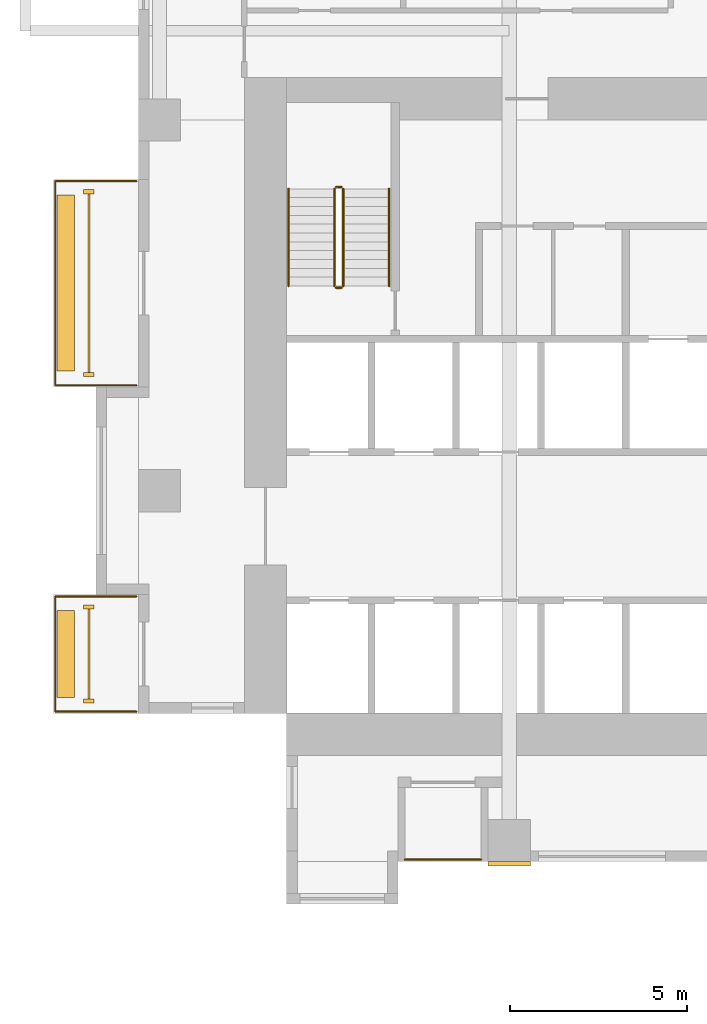
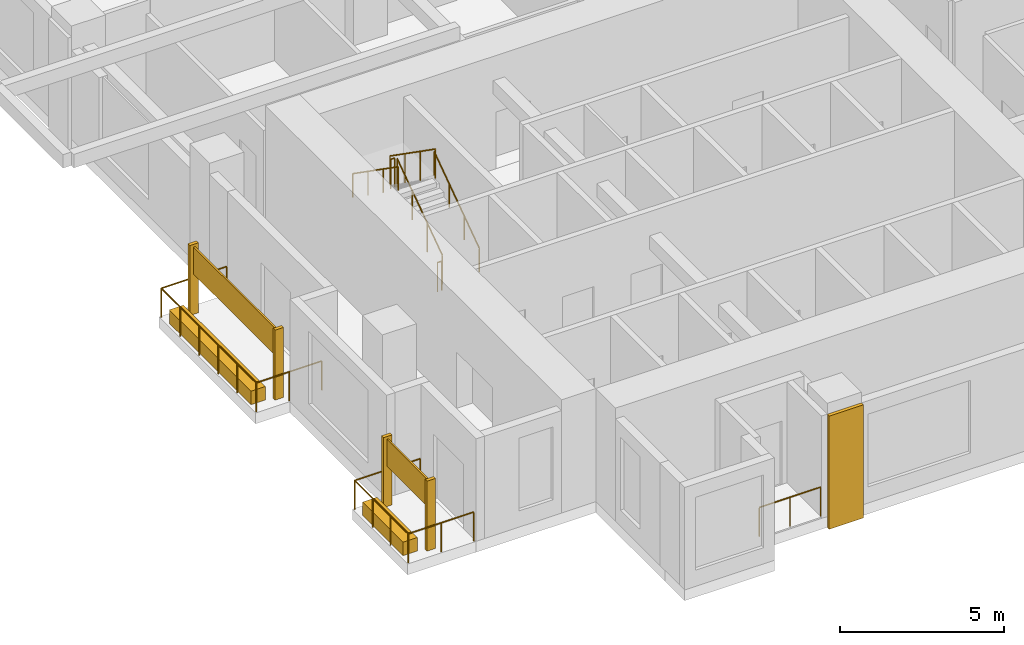
# One storey, part 11 of 14: 9 coverings, 9 railings.
"""IFC4 building model written with IfcOpenShell, lengths in metres."""

from ifc_helpers import new_model, si_unit, direction, frame, origin, origin_2d, place, context, subcontext, project, spatial, rectangle, circle, extrude, source, transform, mapped, material, type_object, element, save


model = new_model("IFC4")

# Units and contexts
model_context = context("Model", 3, precision=1e-05, world=origin(), true_north=direction((0.0, 1.0)))
body_context = subcontext(model_context, "Body", "Model", "MODEL_VIEW")
ifc_project = project(units=[si_unit("LENGTHUNIT", "METRE"), si_unit("AREAUNIT", "SQUARE_METRE"), si_unit("VOLUMEUNIT", "CUBIC_METRE"), si_unit("PLANEANGLEUNIT", "RADIAN"), si_unit("MASSUNIT", "GRAM", prefix="KILO")], contexts=[model_context])

# Site, building, storey
site_placement = place(None, origin())
site = spatial("IfcSite", under=ifc_project, at=site_placement, CompositionType="ELEMENT")
building_placement = place(site_placement, origin())
building = spatial("IfcBuilding", under=site, at=building_placement, Name="Aurelian Terraces", CompositionType="ELEMENT")
storey_placement = place(building_placement, frame((0.0, 0.0, 53.1)))
storey = spatial("IfcBuildingStorey", under=building, at=storey_placement, Name="L10", CompositionType="ELEMENT", Elevation=53.1)

# Coverings
ifc_material_1 = material(Name="Terracotta rainscreen cladding relief", Category="masonry")
covering_type_1 = type_object("IfcCoveringType", Name="FIN-TC", PredefinedType="CLADDING", material=ifc_material_1)
shared_shape_1 = source(origin(), body_context, "Body", "SweptSolid", [
    extrude(rectangle(XDim=0.3, YDim=0.12, at=origin_2d()), origin(), (0.0, 0.0, 1.0), 2.6),
])
for number, where, z_axis, x_axis, name in (
    (1, (-1.4, 18.97, 0.0), (0.0, 0.0, 1.0), (1.0, 0.0, 0.0), "FIN L10 L10-F18-40.1"),
    (2, (-1.4, 13.79, 0.0), (0.0, 0.0, 1.0), (1.0, 0.0, 0.0), "FIN L10 L10-F18-40.2"),
    (3, (-1.4, 7.21, 0.0), (0.0, 0.0, 1.0), (1.0, 0.0, 0.0), "FIN L10 L10-F18-42.1"),
    (4, (-1.4, 4.55, 0.0), (0.0, 0.0, 1.0), (1.0, 0.0, 0.0), "FIN L10 L10-F18-42.2"),
):
    element("IfcCovering", number, at=place(storey_placement, frame(where, z_axis=z_axis, x_axis=x_axis)), inside=storey, type_object=covering_type_1, Name=name, PredefinedType="CLADDING", context=body_context, shape_type="MappedRepresentation", body=[
        mapped(shared_shape_1, transform((0.0, 0.0, 0.0), scale=1.0)),
    ])
covering_type_2 = type_object("IfcCoveringType", Name="BAGUETTE-TC", PredefinedType="CLADDING", material=ifc_material_1)
shared_shape_2 = source(origin(), body_context, "Body", "SweptSolid", [
    extrude(rectangle(XDim=1.2, YDim=0.12, at=origin_2d()), origin(), (0.0, 0.0, 1.0), 4.2),
])
covering_1_placement = place(storey_placement, frame((10.5, -0.06, -0.4), z_axis=(0.0, 0.0, 1.0), x_axis=(1.0, 0.0, 0.0)))
element("IfcCovering", 5, at=covering_1_placement, inside=storey, type_object=covering_type_2, Name="BAGUETTE pier L10 1", PredefinedType="CLADDING", context=body_context, shape_type="MappedRepresentation", body=[
    mapped(shared_shape_2, transform((0.0, 0.0, 0.0), scale=1.0)),
])

# Railing
ifc_material_2 = material(Name="Anodised aluminium", Category="aluminium")
railing_type_1 = type_object("IfcRailingType", Name="GUARD-1100", PredefinedType="GUARDRAIL", material=ifc_material_2)
shared_shape_3 = source(origin(), body_context, "Body", "SweptSolid", [
    extrude(circle(Radius=0.024, at=origin_2d()), frame((0.0, 0.0, 1.076), z_axis=(-1.0, 0.0, 0.0), x_axis=(0.0, -1.0, 0.0)), (0.0, 0.0, 1.0), 2.3),
    extrude(circle(Radius=0.024, at=origin_2d()), frame((-2.3, 0.0, 1.076), z_axis=(0.0, -1.0, 0.0), x_axis=(1.0, 0.0, 0.0)), (0.0, 0.0, 1.0), 5.78),
    extrude(circle(Radius=0.024, at=origin_2d()), frame((-2.3, -5.78, 1.076), z_axis=(1.0, 0.0, 0.0), x_axis=(0.0, 1.0, 0.0)), (0.0, 0.0, 1.0), 2.3),
    extrude(circle(Radius=0.021, at=origin_2d()), origin(), (0.0, 0.0, 1.0), 1.052),
    extrude(circle(Radius=0.021, at=origin_2d()), frame((-1.15, 0.0, 0.0)), (0.0, 0.0, 1.0), 1.052),
    extrude(circle(Radius=0.021, at=origin_2d()), frame((-2.3, 0.0, 0.0)), (0.0, 0.0, 1.0), 1.052),
    extrude(circle(Radius=0.021, at=origin_2d()), frame((-2.3, -1.156, 0.0)), (0.0, 0.0, 1.0), 1.052),
    extrude(circle(Radius=0.021, at=origin_2d()), frame((-2.3, -2.312, 0.0)), (0.0, 0.0, 1.0), 1.052),
    extrude(circle(Radius=0.021, at=origin_2d()), frame((-2.3, -3.468, 0.0)), (0.0, 0.0, 1.0), 1.052),
    extrude(circle(Radius=0.021, at=origin_2d()), frame((-2.3, -4.624, 0.0)), (0.0, 0.0, 1.0), 1.052),
    extrude(circle(Radius=0.021, at=origin_2d()), frame((-2.3, -5.78, 0.0)), (0.0, 0.0, 1.0), 1.052),
    extrude(circle(Radius=0.021, at=origin_2d()), frame((-1.15, -5.78, 0.0)), (0.0, 0.0, 1.0), 1.052),
    extrude(circle(Radius=0.021, at=origin_2d()), frame((0.0, -5.78, 0.0)), (0.0, 0.0, 1.0), 1.052),
])
railing_1_placement = place(storey_placement, frame((-0.05, 19.27, 0.0)))
element("IfcRailing", 6, at=railing_1_placement, inside=storey, type_object=railing_type_1, Name="Balcony guard L10 F18.40", PredefinedType="GUARDRAIL", context=body_context, shape_type="MappedRepresentation", body=[
    mapped(shared_shape_3, transform((0.0, 0.0, 0.0), scale=1.0)),
])

# Coverings
ifc_material_3 = material(Name="Terracotta planter with planting soil", Category="masonry")
covering_type_3 = type_object("IfcCoveringType", Name="PLANTER-TROUGH", PredefinedType="USERDEFINED", material=ifc_material_3)
shared_shape_4 = source(origin(), body_context, "Body", "SweptSolid", [
    extrude(rectangle(XDim=0.5, YDim=4.98, at=origin_2d()), origin(), (0.0, 0.0, 1.0), 0.5),
])
covering_2_placement = place(storey_placement, frame((-2.05, 16.38, 0.0), z_axis=(0.0, 0.0, 1.0), x_axis=(1.0, 0.0, 0.0)))
element("IfcCovering", 7, at=covering_2_placement, inside=storey, type_object=covering_type_3, Name="PLANTER L10 L10-F18-40", ObjectType="PLANTER", PredefinedType="USERDEFINED", context=body_context, shape_type="MappedRepresentation", body=[
    mapped(shared_shape_4, transform((0.0, 0.0, 0.0), scale=1.0)),
])
ifc_material_4 = material(Name="Terracotta rainscreen cladding", Category="masonry")
covering_type_4 = type_object("IfcCoveringType", Name="SCREEN-TC", PredefinedType="CLADDING", material=ifc_material_4)
shared_shape_5 = source(origin(), body_context, "Body", "SweptSolid", [
    extrude(rectangle(XDim=0.06, YDim=5.06, at=origin_2d()), origin(), (0.0, 0.0, 1.0), 1.0),
])
covering_3_placement = place(storey_placement, frame((-1.4, 16.38, 1.5), z_axis=(0.0, 0.0, 1.0), x_axis=(1.0, 0.0, 0.0)))
element("IfcCovering", 8, at=covering_3_placement, inside=storey, type_object=covering_type_4, Name="SCREEN L10 L10-F18-40", PredefinedType="CLADDING", context=body_context, shape_type="MappedRepresentation", body=[
    mapped(shared_shape_5, transform((0.0, 0.0, 0.0), scale=1.0)),
])

# Railing
shared_shape_6 = source(origin(), body_context, "Body", "SweptSolid", [
    extrude(circle(Radius=0.024, at=origin_2d()), frame((0.0, 0.0, 1.076), z_axis=(-1.0, 0.0, 0.0), x_axis=(0.0, -1.0, 0.0)), (0.0, 0.0, 1.0), 2.3),
    extrude(circle(Radius=0.024, at=origin_2d()), frame((-2.3, 0.0, 1.076), z_axis=(0.0, -1.0, 0.0), x_axis=(1.0, 0.0, 0.0)), (0.0, 0.0, 1.0), 3.26),
    extrude(circle(Radius=0.024, at=origin_2d()), frame((-2.3, -3.26, 1.076), z_axis=(1.0, 0.0, 0.0), x_axis=(0.0, 1.0, 0.0)), (0.0, 0.0, 1.0), 2.3),
    extrude(circle(Radius=0.021, at=origin_2d()), origin(), (0.0, 0.0, 1.0), 1.052),
    extrude(circle(Radius=0.021, at=origin_2d()), frame((-1.15, 0.0, 0.0)), (0.0, 0.0, 1.0), 1.052),
    extrude(circle(Radius=0.021, at=origin_2d()), frame((-2.3, 0.0, 0.0)), (0.0, 0.0, 1.0), 1.052),
    extrude(circle(Radius=0.021, at=origin_2d()), frame((-2.3, -1.0867, 0.0)), (0.0, 0.0, 1.0), 1.052),
    extrude(circle(Radius=0.021, at=origin_2d()), frame((-2.3, -2.1733, 0.0)), (0.0, 0.0, 1.0), 1.052),
    extrude(circle(Radius=0.021, at=origin_2d()), frame((-2.3, -3.26, 0.0)), (0.0, 0.0, 1.0), 1.052),
    extrude(circle(Radius=0.021, at=origin_2d()), frame((-1.15, -3.26, 0.0)), (0.0, 0.0, 1.0), 1.052),
    extrude(circle(Radius=0.021, at=origin_2d()), frame((0.0, -3.26, 0.0)), (0.0, 0.0, 1.0), 1.052),
])
railing_2_placement = place(storey_placement, frame((-0.05, 7.51, 0.0)))
element("IfcRailing", 9, at=railing_2_placement, inside=storey, type_object=railing_type_1, Name="Balcony guard L10 F18.42", PredefinedType="GUARDRAIL", context=body_context, shape_type="MappedRepresentation", body=[
    mapped(shared_shape_6, transform((0.0, 0.0, 0.0), scale=1.0)),
])

# Coverings
shared_shape_7 = source(origin(), body_context, "Body", "SweptSolid", [
    extrude(rectangle(XDim=0.5, YDim=2.46, at=origin_2d()), origin(), (0.0, 0.0, 1.0), 0.5),
])
covering_4_placement = place(storey_placement, frame((-2.05, 5.88, 0.0), z_axis=(0.0, 0.0, 1.0), x_axis=(1.0, 0.0, 0.0)))
element("IfcCovering", 10, at=covering_4_placement, inside=storey, type_object=covering_type_3, Name="PLANTER L10 L10-F18-42", ObjectType="PLANTER", PredefinedType="USERDEFINED", context=body_context, shape_type="MappedRepresentation", body=[
    mapped(shared_shape_7, transform((0.0, 0.0, 0.0), scale=1.0)),
])
shared_shape_8 = source(origin(), body_context, "Body", "SweptSolid", [
    extrude(rectangle(XDim=0.06, YDim=2.54, at=origin_2d()), origin(), (0.0, 0.0, 1.0), 1.0),
])
covering_5_placement = place(storey_placement, frame((-1.4, 5.88, 1.5), z_axis=(0.0, 0.0, 1.0), x_axis=(1.0, 0.0, 0.0)))
element("IfcCovering", 11, at=covering_5_placement, inside=storey, type_object=covering_type_4, Name="SCREEN L10 L10-F18-42", PredefinedType="CLADDING", context=body_context, shape_type="MappedRepresentation", body=[
    mapped(shared_shape_8, transform((0.0, 0.0, 0.0), scale=1.0)),
])

# Railings
shared_shape_9 = source(origin(), body_context, "Body", "SweptSolid", [
    extrude(circle(Radius=0.024, at=origin_2d()), frame((0.0, 0.0, 1.076), z_axis=(1.0, 0.0, 0.0), x_axis=(0.0, 1.0, 0.0)), (0.0, 0.0, 1.0), 2.15),
    extrude(circle(Radius=0.021, at=origin_2d()), origin(), (0.0, 0.0, 1.0), 1.052),
    extrude(circle(Radius=0.021, at=origin_2d()), frame((1.075, 0.0, 0.0)), (0.0, 0.0, 1.0), 1.052),
    extrude(circle(Radius=0.021, at=origin_2d()), frame((2.15, 0.0, 0.0)), (0.0, 0.0, 1.0), 1.052),
])
railing_3_placement = place(storey_placement, frame((7.55, 0.06, 0.05)))
element("IfcRailing", 12, at=railing_3_placement, inside=storey, type_object=railing_type_1, Name="Loggia guard L10 F01.2", PredefinedType="GUARDRAIL", context=body_context, shape_type="MappedRepresentation", body=[
    mapped(shared_shape_9, transform((0.0, 0.0, 0.0), scale=1.0)),
])
ifc_material_5 = material(Name="Stainless steel", Category="steel")
railing_type_2 = type_object("IfcRailingType", Name="Stair guard 1100", PredefinedType="GUARDRAIL", material=ifc_material_5)
shared_shape_10 = source(origin(), body_context, "Body", "SweptSolid", [
    extrude(circle(Radius=0.024, at=origin_2d()), frame((0.0, 0.0, 1.076), z_axis=(-1.0, 0.0, 0.0), x_axis=(0.0, -1.0, 0.0)), (0.0, 0.0, 1.0), 0.15),
    extrude(circle(Radius=0.021, at=origin_2d()), origin(), (0.0, 0.0, 1.0), 1.052),
    extrude(circle(Radius=0.021, at=origin_2d()), frame((-0.15, 0.0, 0.0)), (0.0, 0.0, 1.0), 1.052),
])
for number, where, name in (
    (13, (5.75, 19.1, 2.1), "L10 S1 stair guard 2"),
    (14, (5.75, 16.25, 0.0), "L10 S1 stair guard 4"),
):
    element("IfcRailing", number, at=place(storey_placement, frame(where)), inside=storey, type_object=railing_type_2, Name=name, PredefinedType="GUARDRAIL", context=body_context, shape_type="MappedRepresentation", body=[
        mapped(shared_shape_10, transform((0.0, 0.0, 0.0), scale=1.0)),
    ])
shared_shape_11 = source(origin(), body_context, "Body", "SweptSolid", [
    extrude(circle(Radius=0.024, at=origin_2d()), frame((0.0, 0.0, 1.076), z_axis=(0.0, 0.819231920519, 0.573462344363), x_axis=(-1.0, 0.0, 0.0)), (0.0, 0.0, 1.0), 3.3568),
    extrude(circle(Radius=0.021, at=origin_2d()), origin(), (0.0, 0.0, 1.0), 1.052),
    extrude(circle(Radius=0.021, at=origin_2d()), frame((0.0, 0.9167, 0.6417)), (0.0, 0.0, 1.0), 1.052),
    extrude(circle(Radius=0.021, at=origin_2d()), frame((0.0, 1.8333, 1.2833)), (0.0, 0.0, 1.0), 1.052),
    extrude(circle(Radius=0.021, at=origin_2d()), frame((0.0, 2.75, 1.925)), (0.0, 0.0, 1.0), 1.052),
])
railing_4_placement = place(storey_placement, frame((5.8, 16.3, 0.175)))
element("IfcRailing", 15, at=railing_4_placement, inside=storey, type_object=railing_type_2, Name="L10 S1 stair guard 1", PredefinedType="GUARDRAIL", context=body_context, shape_type="MappedRepresentation", body=[
    mapped(shared_shape_11, transform((0.0, 0.0, 0.0), scale=1.0)),
])
shared_shape_12 = source(origin(), body_context, "Body", "SweptSolid", [
    extrude(circle(Radius=0.024, at=origin_2d()), frame((0.0, 0.0, 1.076), z_axis=(0.0, -0.819231920519, 0.573462344363), x_axis=(1.0, 0.0, 0.0)), (0.0, 0.0, 1.0), 3.3568),
    extrude(circle(Radius=0.021, at=origin_2d()), origin(), (0.0, 0.0, 1.0), 1.052),
    extrude(circle(Radius=0.021, at=origin_2d()), frame((0.0, -0.9167, 0.6417)), (0.0, 0.0, 1.0), 1.052),
    extrude(circle(Radius=0.021, at=origin_2d()), frame((0.0, -1.8333, 1.2833)), (0.0, 0.0, 1.0), 1.052),
    extrude(circle(Radius=0.021, at=origin_2d()), frame((0.0, -2.75, 1.925)), (0.0, 0.0, 1.0), 1.052),
])
railing_5_placement = place(storey_placement, frame((5.55, 19.05, 2.275)))
element("IfcRailing", 16, at=railing_5_placement, inside=storey, type_object=railing_type_2, Name="L10 S1 stair guard 3", PredefinedType="GUARDRAIL", context=body_context, shape_type="MappedRepresentation", body=[
    mapped(shared_shape_12, transform((0.0, 0.0, 0.0), scale=1.0)),
])
railing_type_3 = type_object("IfcRailingType", Name="Stair handrail", PredefinedType="HANDRAIL", material=ifc_material_5)
shared_shape_13 = source(origin(), body_context, "Body", "SweptSolid", [
    extrude(circle(Radius=0.024, at=origin_2d()), frame((0.0, 0.0, 0.876), z_axis=(0.0, 0.819231920519, 0.573462344363), x_axis=(-1.0, 0.0, 0.0)), (0.0, 0.0, 1.0), 3.3568),
    extrude(circle(Radius=0.021, at=origin_2d()), origin(), (0.0, 0.0, 1.0), 0.852),
    extrude(circle(Radius=0.021, at=origin_2d()), frame((0.0, 0.9167, 0.6417)), (0.0, 0.0, 1.0), 0.852),
    extrude(circle(Radius=0.021, at=origin_2d()), frame((0.0, 1.8333, 1.2833)), (0.0, 0.0, 1.0), 0.852),
    extrude(circle(Radius=0.021, at=origin_2d()), frame((0.0, 2.75, 1.925)), (0.0, 0.0, 1.0), 0.852),
])
railing_6_placement = place(storey_placement, frame((7.1, 16.3, 0.175)))
element("IfcRailing", 17, at=railing_6_placement, inside=storey, type_object=railing_type_3, Name="L10 S1 stair handrail 1", PredefinedType="HANDRAIL", context=body_context, shape_type="MappedRepresentation", body=[
    mapped(shared_shape_13, transform((0.0, 0.0, 0.0), scale=1.0)),
])
shared_shape_14 = source(origin(), body_context, "Body", "SweptSolid", [
    extrude(circle(Radius=0.024, at=origin_2d()), frame((0.0, 0.0, 0.876), z_axis=(0.0, -0.819231920519, 0.573462344363), x_axis=(1.0, 0.0, 0.0)), (0.0, 0.0, 1.0), 3.3568),
    extrude(circle(Radius=0.021, at=origin_2d()), origin(), (0.0, 0.0, 1.0), 0.852),
    extrude(circle(Radius=0.021, at=origin_2d()), frame((0.0, -0.9167, 0.6417)), (0.0, 0.0, 1.0), 0.852),
    extrude(circle(Radius=0.021, at=origin_2d()), frame((0.0, -1.8333, 1.2833)), (0.0, 0.0, 1.0), 0.852),
    extrude(circle(Radius=0.021, at=origin_2d()), frame((0.0, -2.75, 1.925)), (0.0, 0.0, 1.0), 0.852),
])
railing_7_placement = place(storey_placement, frame((4.25, 19.05, 2.275)))
element("IfcRailing", 18, at=railing_7_placement, inside=storey, type_object=railing_type_3, Name="L10 S1 stair handrail 2", PredefinedType="HANDRAIL", context=body_context, shape_type="MappedRepresentation", body=[
    mapped(shared_shape_14, transform((0.0, 0.0, 0.0), scale=1.0)),
])

save(model, "model.ifc")
